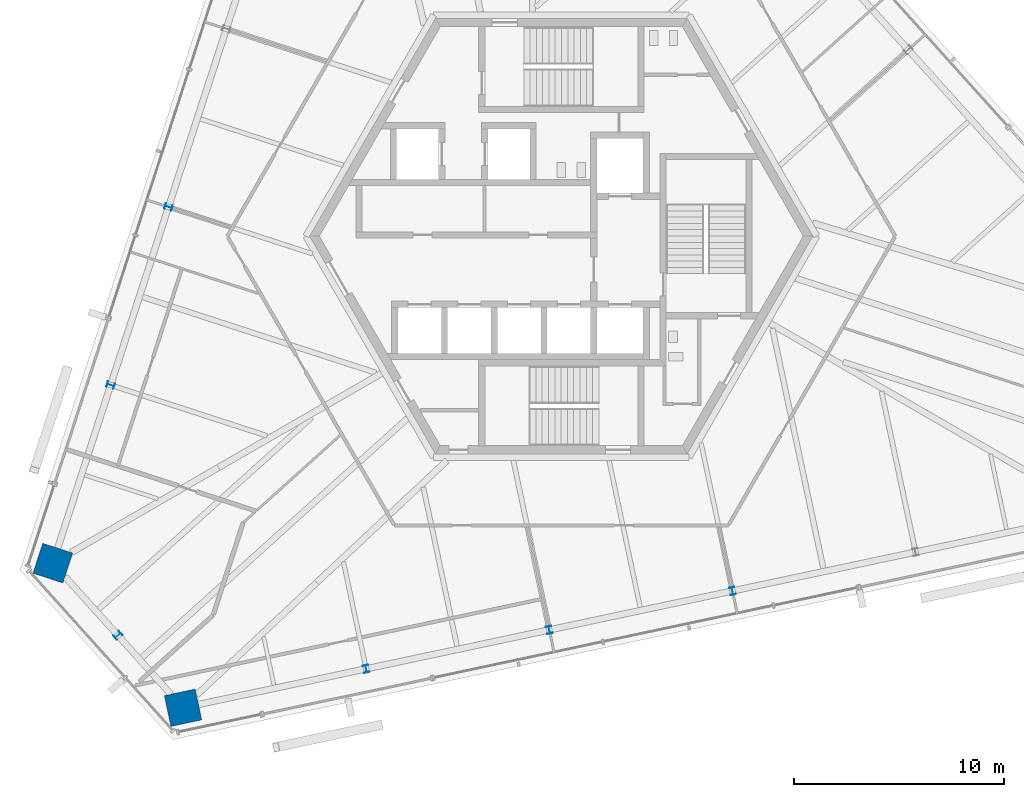
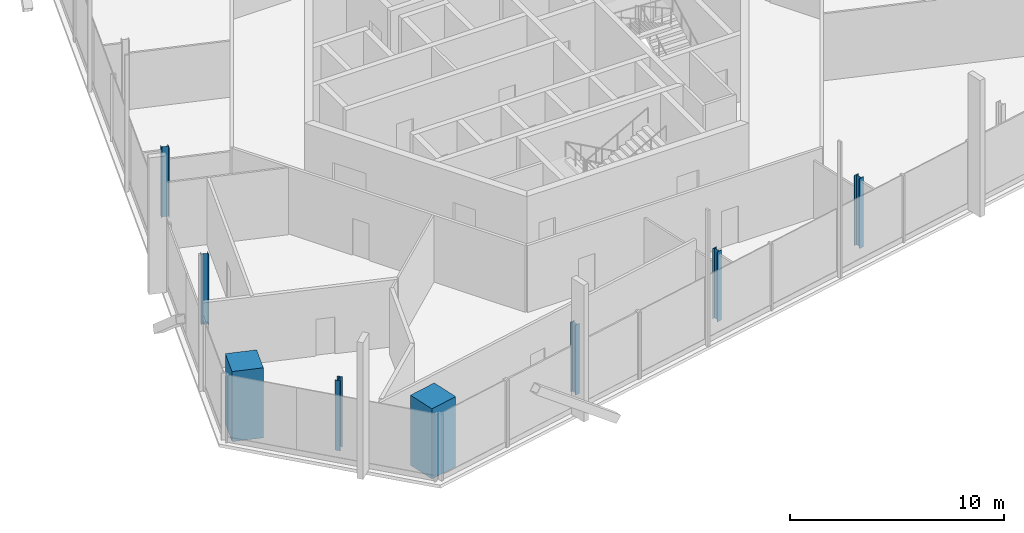
# One storey, part 1 of 17: 8 columns.
"""IFC4 building model written with IfcOpenShell, lengths in metres."""

from ifc_helpers import new_model, si_unit, direction, frame, origin, origin_2d, place, context, subcontext, project, spatial, rectangle, i_section, extrude, source, transform, mapped, material, material_profile, profile_set, type_object, element, save


model = new_model("IFC4")

# Units and contexts
model_context = context("Model", 3, precision=1e-05, world=origin(), true_north=direction((0.0, 1.0)))
body_context = subcontext(model_context, "Body", "Model", "MODEL_VIEW")
ifc_project = project(units=[si_unit("LENGTHUNIT", "METRE"), si_unit("AREAUNIT", "SQUARE_METRE"), si_unit("VOLUMEUNIT", "CUBIC_METRE"), si_unit("PLANEANGLEUNIT", "RADIAN"), si_unit("MASSUNIT", "GRAM", prefix="KILO")], contexts=[model_context])

# Site, building, storey
site_placement = place(None, origin())
site = spatial("IfcSite", under=ifc_project, at=site_placement, CompositionType="ELEMENT")
building_placement = place(site_placement, origin())
building = spatial("IfcBuilding", under=site, at=building_placement, Name="Triune Harvest Tower", CompositionType="ELEMENT")
storey_placement = place(building_placement, frame((0.0, 0.0, 288.699951171875)))
storey = spatial("IfcBuildingStorey", under=building, at=storey_placement, Name="L76", CompositionType="ELEMENT", Elevation=288.699951171875)

# Columns
ifc_material_1 = material(Name="Concrete 70 MPa", Category="concrete")
ifc_material_profile_1 = material_profile(ifc_material_1, rectangle(XDim=1.5, YDim=1.5, at=origin_2d()), Name="Composite 1500x1500")
ifc_profile_set_1 = profile_set([ifc_material_profile_1], Name="Concrete 70 MPa")
column_type_1 = type_object("IfcColumnType", Name="MC-7 Mega column Composite 1500x1500", PredefinedType="COLUMN", material=ifc_profile_set_1)
shared_shape_1 = source(origin(), body_context, "Body", "SweptSolid", [
    extrude(rectangle(XDim=1.5, YDim=1.5, at=origin_2d()), origin(), (0.0, 0.0, 1.0), 4.0),
])
for number, where, z_axis, x_axis, name in (
    (1, (-24.24853515625, -15.58984375, 0.0), (0.0, 0.0, 1.0), (-0.309015334468, -0.95105705563, 0.0), "col/L76/M12"),
    (2, (-18.0390625, -22.486083984375, 0.0), (0.0, 0.0, 1.0), (0.978147237858, 0.207913398007, 0.0), "col/L76/M14"),
):
    element("IfcColumn", number, at=place(storey_placement, frame(where, z_axis=z_axis, x_axis=x_axis)), inside=storey, type_object=column_type_1, Name=name, PredefinedType="COLUMN", context=body_context, shape_type="MappedRepresentation", body=[
        mapped(shared_shape_1, transform((0.0, 0.0, 0.0), scale=1.0)),
    ])
ifc_material_2 = material(Name="Steel ASTM A992 Gr 50", Category="steel")
ifc_material_profile_2 = material_profile(ifc_material_2, i_section(OverallWidth=0.256591796875, OverallDepth=0.360595703125, WebThickness=0.011474609375, FlangeThickness=0.02001953125, at=origin_2d()), Name="W14x74")
ifc_profile_set_2 = profile_set([ifc_material_profile_2], Name="Steel ASTM A992 Gr 50")
column_type_2 = type_object("IfcColumnType", Name="PC-7 Perimeter column W14x74", PredefinedType="COLUMN", material=ifc_profile_set_2)
shared_shape_2 = source(origin(), body_context, "Body", "SweptSolid", [
    extrude(i_section(OverallWidth=0.256591796875, OverallDepth=0.360595703125, WebThickness=0.011474609375, FlangeThickness=0.02001953125, at=origin_2d()), origin(), (0.0, 0.0, 1.0), 4.0),
])
for number, where, z_axis, x_axis, name in (
    (3, (-18.730712890625, 1.392333984375, 0.0), (0.0, 0.0, 1.0), (-0.309015334468, -0.95105705563, 0.0), "col/L76/P10"),
    (4, (-21.48974609375, -7.098876953125, 0.0), (0.0, 0.0, 1.0), (-0.309015334468, -0.95105705563, 0.0), "col/L76/P11"),
    (5, (-21.143798828125, -19.0380859375, 0.0), (0.0, 0.0, 1.0), (0.669129309325, -0.743145993329, 0.0), "col/L76/P13"),
    (6, (-9.30615234375, -20.6298828125, 0.0), (0.0, 0.0, 1.0), (0.978147237858, 0.207913398007, 0.0), "col/L76/P15"),
    (7, (-0.5732421875, -18.773681640625, 0.0), (0.0, 0.0, 1.0), (0.978147237858, 0.207913398007, 0.0), "col/L76/P16"),
    (8, (8.15966796875, -16.91748046875, 0.0), (0.0, 0.0, 1.0), (0.978147237858, 0.207913398007, 0.0), "col/L76/P17"),
):
    element("IfcColumn", number, at=place(storey_placement, frame(where, z_axis=z_axis, x_axis=x_axis)), inside=storey, type_object=column_type_2, Name=name, PredefinedType="COLUMN", context=body_context, shape_type="MappedRepresentation", body=[
        mapped(shared_shape_2, transform((0.0, 0.0, 0.0), scale=1.0)),
    ])

save(model, "model.ifc")
